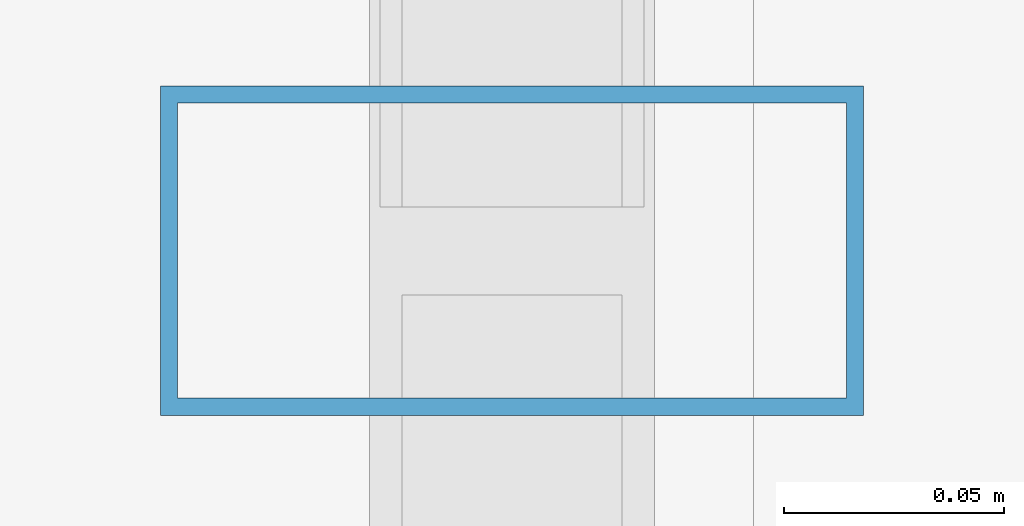
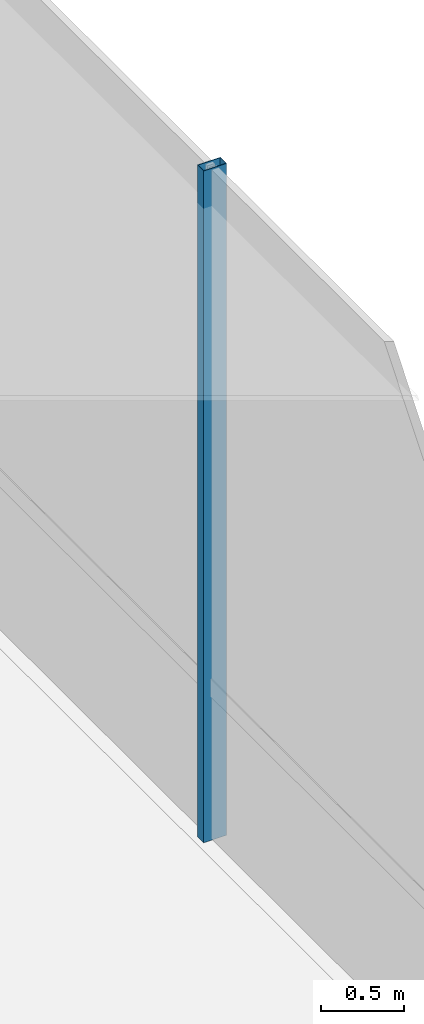
# One storey, part 22 of 39: 1 member, 1 element without a shape of its own.
"""IFC4 building model written with IfcOpenShell, lengths in metres."""

from ifc_helpers import new_model, si_unit, direction, frame, origin, origin_2d, place, context, subcontext, project, spatial, hollow_rectangle, extrude, source, transform, mapped, material, material_profile, profile_set, type_object, element, aggregate, save


model = new_model("IFC4")

# Units and contexts
model_context = context("Model", 3, precision=1e-05, world=origin(), true_north=direction((0.0, 1.0)))
body_context = subcontext(model_context, "Body", "Model", "MODEL_VIEW")
ifc_project = project(units=[si_unit("LENGTHUNIT", "METRE"), si_unit("AREAUNIT", "SQUARE_METRE"), si_unit("VOLUMEUNIT", "CUBIC_METRE"), si_unit("PLANEANGLEUNIT", "RADIAN"), si_unit("MASSUNIT", "GRAM", prefix="KILO")], contexts=[model_context])

# Site, building, storey
site_placement = place(None, origin())
site = spatial("IfcSite", under=ifc_project, at=site_placement, CompositionType="ELEMENT")
building_placement = place(site_placement, origin())
building = spatial("IfcBuilding", under=site, at=building_placement, Name="Valdorenza Pilgrim Sanctuary Tower", CompositionType="ELEMENT")
storey_placement = place(building_placement, frame((0.0, 0.0, 10.39990234375)))
storey = spatial("IfcBuildingStorey", under=building, at=storey_placement, Name="L02", CompositionType="ELEMENT", Elevation=10.39990234375)

# Curtain wall, member
ifc_material_1 = material(Name="Curtain-wall IGU glazing", Category="glass")
curtain_wall_type = type_object("IfcCurtainWallType", Name="CW-SYS-01", PredefinedType="NOTDEFINED", material=ifc_material_1)
curtain_wall_placement = place(storey_placement, origin())
curtain_wall = element("IfcCurtainWall", 1, at=curtain_wall_placement, inside=storey, type_object=curtain_wall_type, Name="L02 Curtain Wall CW-POD-L02-EE", PredefinedType="NOTDEFINED")
ifc_material_2 = material(Name="Anodised aluminium AW-6060", Category="aluminium")
ifc_material_profile = material_profile(ifc_material_2, hollow_rectangle(XDim=0.074951171875, YDim=0.159912109375, WallThickness=0.00390625, at=origin_2d()), Name="ALU-M 160x75x4")
ifc_profile_set = profile_set([ifc_material_profile], Name="Anodised aluminium AW-6060")
member_type = type_object("IfcMemberType", Name="CW-MUL-01", PredefinedType="MULLION", material=ifc_profile_set)
shared_shape = source(origin(), body_context, "Body", "SweptSolid", [
    extrude(hollow_rectangle(XDim=0.074951171875, YDim=0.159912109375, WallThickness=0.00390625, at=origin_2d()), origin(), (0.0, 0.0, 1.0), 4.920166015625),
])
member_placement = place(storey_placement, frame((33.85009765625, 4.666748046875, 0.0), z_axis=(0.0, 0.0, 1.0), x_axis=(0.0, 1.0, 0.0)))
member = element("IfcMember", 2, at=member_placement, type_object=member_type, Name="CW-POD-L02-EE Mullion 3", PredefinedType="MULLION", context=body_context, shape_type="MappedRepresentation", body=[
    mapped(shared_shape, transform((0.0, 0.0, 0.0), x_axis=(1.0, 0.0, 0.0), y_axis=(0.0, 1.0, 0.0), z_axis=(0.0, 0.0, 1.0), scale=1.0)),
])
aggregate(curtain_wall, [member])

save(model, "model.ifc")
